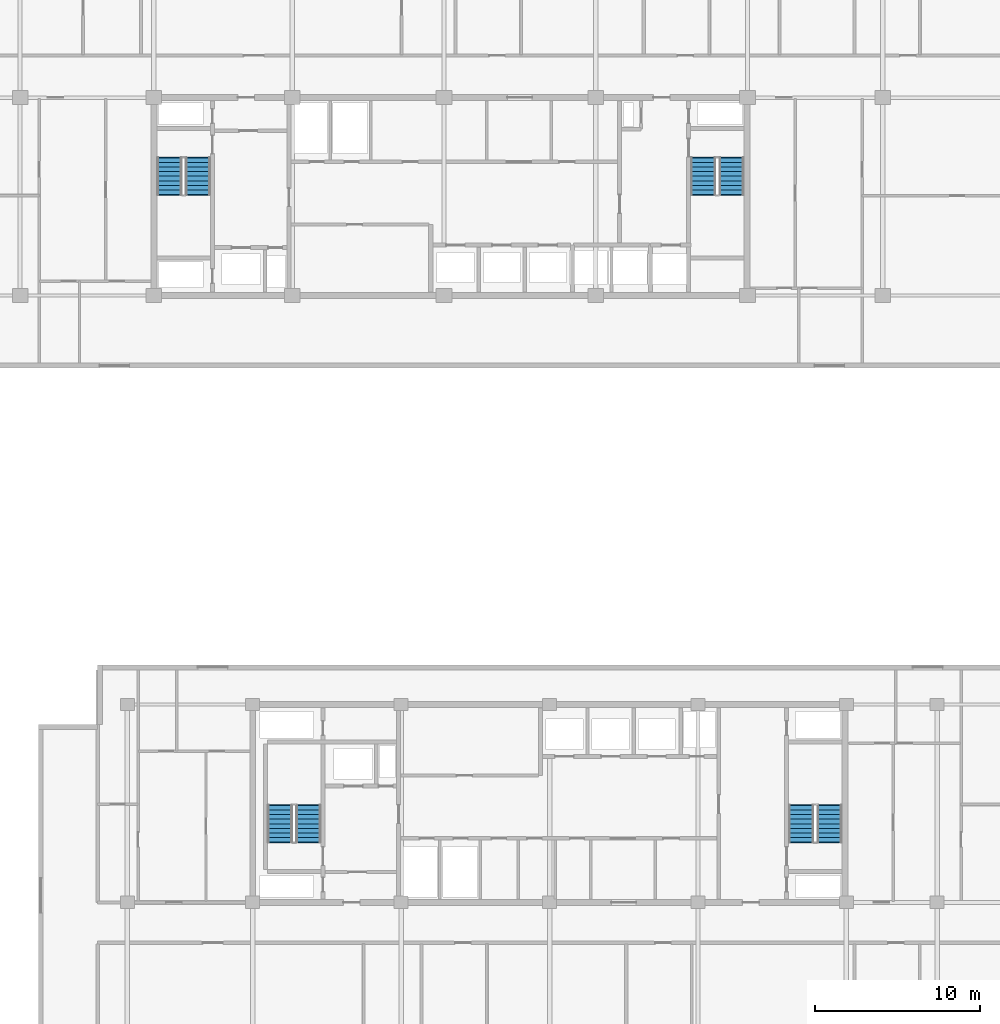
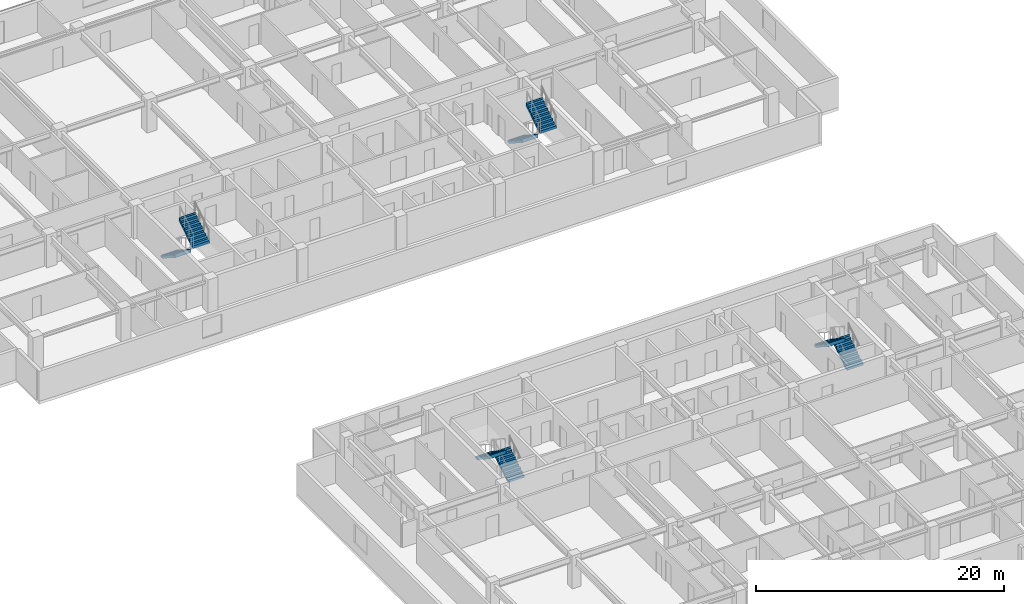
# One storey, part 16 of 21: 8 stair flights, 4 elements without a shape of their own.
"""IFC4 building model written with IfcOpenShell, lengths in metres."""

from ifc_helpers import new_model, si_unit, direction, frame, origin, place, context, subcontext, project, spatial, polyline, outline, extrude, material, type_object, element, aggregate, save


model = new_model("IFC4")

# Units and contexts
model_context = context("Model", 3, precision=1e-05, world=origin(), true_north=direction((0.0, 1.0)))
body_context = subcontext(model_context, "Body", "Model", "MODEL_VIEW")
ifc_project = project(units=[si_unit("LENGTHUNIT", "METRE"), si_unit("AREAUNIT", "SQUARE_METRE"), si_unit("VOLUMEUNIT", "CUBIC_METRE"), si_unit("PLANEANGLEUNIT", "RADIAN"), si_unit("MASSUNIT", "GRAM", prefix="KILO")], contexts=[model_context])

# Site, building, storey
site_placement = place(None, origin())
site = spatial("IfcSite", under=ifc_project, at=site_placement, CompositionType="ELEMENT")
building_placement = place(site_placement, origin())
building = spatial("IfcBuilding", under=site, at=building_placement, Name="Korimba Cascade Residences", CompositionType="ELEMENT")
storey_placement = place(building_placement, frame((0.0, 0.0, 106.800048828125)))
storey = spatial("IfcBuildingStorey", under=building, at=storey_placement, Name="L30", CompositionType="ELEMENT", Elevation=106.800048828125)

# Stair, stair flights
ifc_material = material(Name="Concrete C50/60", Category="concrete")
stair_type_1 = type_object("IfcStairType", Name="STR-W1-18R-1806", PredefinedType="HALF_TURN_STAIR", material=ifc_material)
stair_1_placement = place(storey_placement, origin())
stair_1 = element("IfcStair", 1, at=stair_1_placement, inside=storey, type_object=stair_type_1, Name="L30 Tower 1 West Fire Stair ST-W1", PredefinedType="HALF_TURN_STAIR")
stair_flight_type = type_object("IfcStairFlightType", Name="STF-DL-18R-1806-1520", PredefinedType="STRAIGHT", material=ifc_material)
stair_flight_1_placement = place(storey_placement, frame((77.06005859375, 63.550048828125, 0.0), z_axis=(0.0, 0.0, 1.0), x_axis=(0.0, -1.0, 0.0)))
stair_flight_1 = element("IfcStairFlight", 2, at=stair_flight_1_placement, type_object=stair_flight_type, Name="ST-W1 flight 1", NumberOfRisers=9, NumberOfTreads=8, PredefinedType="STRAIGHT", RiserHeight=0.180555556, TreadLength=0.28, context=body_context, shape_type="SweptSolid", body=[
    extrude(outline(polyline([(-0.0380859375, 0.0), (0.0, 0.1806640625), (0.280029296875, 0.1806640625), (0.280029296875, 0.361083984375), (0.56005859375, 0.361083984375), (0.56005859375, 0.541748046875), (0.840087890625, 0.541748046875), (0.840087890625, 0.72216796875), (1.1201171875, 0.72216796875), (1.1201171875, 0.90283203125), (1.39990234375, 0.90283203125), (1.39990234375, 1.083251953125), (1.679931640625, 1.083251953125), (1.679931640625, 1.263916015625), (1.9599609375, 1.263916015625), (1.9599609375, 1.4443359375), (2.239990234375, 1.4443359375), (2.239990234375, 1.625), (2.278076171875, 1.625), (2.278076171875, 1.26611328125), (0.276611328125, 0.0), (0.276611328125, -0.0380859375), (-0.0380859375, -0.0380859375), (-0.0380859375, 0.0)])), frame((0.0, 0.760009765625, 0.0), z_axis=(0.0, -1.0, 0.0), x_axis=(1.0, 0.0, 0.0)), (0.0, 0.0, 1.0), 1.52001953125),
])
stair_flight_2_placement = place(storey_placement, frame((78.780029296875, 61.31005859375, 1.625), z_axis=(0.0, 0.0, 1.0), x_axis=(0.0, 1.0, 0.0)))
stair_flight_2 = element("IfcStairFlight", 3, at=stair_flight_2_placement, type_object=stair_flight_type, Name="ST-W1 flight 2", NumberOfRisers=9, NumberOfTreads=8, PredefinedType="STRAIGHT", RiserHeight=0.180555556, TreadLength=0.28, context=body_context, shape_type="SweptSolid", body=[
    extrude(outline(polyline([(-0.0380859375, 0.0), (0.0, 0.1806640625), (0.280029296875, 0.1806640625), (0.280029296875, 0.361083984375), (0.56005859375, 0.361083984375), (0.56005859375, 0.541748046875), (0.840087890625, 0.541748046875), (0.840087890625, 0.72216796875), (1.1201171875, 0.72216796875), (1.1201171875, 0.90283203125), (1.39990234375, 0.90283203125), (1.39990234375, 1.083251953125), (1.679931640625, 1.083251953125), (1.679931640625, 1.263916015625), (1.9599609375, 1.263916015625), (1.9599609375, 1.4443359375), (2.239990234375, 1.4443359375), (2.239990234375, 1.625), (2.278076171875, 1.625), (2.278076171875, 1.26611328125), (0.276611328125, 0.0), (0.276611328125, -0.0380859375), (-0.0380859375, -0.0380859375), (-0.0380859375, 0.0)])), frame((0.0, 0.760009765625, 0.0), z_axis=(0.0, -1.0, 0.0), x_axis=(1.0, 0.0, 0.0)), (0.0, 0.0, 1.0), 1.52001953125),
])
aggregate(stair_1, [stair_flight_1, stair_flight_2])

stair_type_2 = type_object("IfcStairType", Name="STR-W2-18R-1806", PredefinedType="HALF_TURN_STAIR", material=ifc_material)
stair_2_placement = place(storey_placement, origin())
stair_2 = element("IfcStair", 4, at=stair_2_placement, inside=storey, type_object=stair_type_2, Name="L30 Tower 1 East Fire Stair ST-W2", PredefinedType="HALF_TURN_STAIR")
stair_flight_3_placement = place(storey_placement, frame((109.419921875, 63.550048828125, 0.0), z_axis=(0.0, 0.0, 1.0), x_axis=(0.0, -1.0, 0.0)))
stair_flight_3 = element("IfcStairFlight", 5, at=stair_flight_3_placement, type_object=stair_flight_type, Name="ST-W2 flight 1", NumberOfRisers=9, NumberOfTreads=8, PredefinedType="STRAIGHT", RiserHeight=0.180555556, TreadLength=0.28, context=body_context, shape_type="SweptSolid", body=[
    extrude(outline(polyline([(-0.0380859375, 0.0), (0.0, 0.1806640625), (0.280029296875, 0.1806640625), (0.280029296875, 0.361083984375), (0.56005859375, 0.361083984375), (0.56005859375, 0.541748046875), (0.840087890625, 0.541748046875), (0.840087890625, 0.72216796875), (1.1201171875, 0.72216796875), (1.1201171875, 0.90283203125), (1.39990234375, 0.90283203125), (1.39990234375, 1.083251953125), (1.679931640625, 1.083251953125), (1.679931640625, 1.263916015625), (1.9599609375, 1.263916015625), (1.9599609375, 1.4443359375), (2.239990234375, 1.4443359375), (2.239990234375, 1.625), (2.278076171875, 1.625), (2.278076171875, 1.26611328125), (0.276611328125, 0.0), (0.276611328125, -0.0380859375), (-0.0380859375, -0.0380859375), (-0.0380859375, 0.0)])), frame((0.0, 0.760009765625, 0.0), z_axis=(0.0, -1.0, 0.0), x_axis=(1.0, 0.0, 0.0)), (0.0, 0.0, 1.0), 1.52001953125),
])
stair_flight_4_placement = place(storey_placement, frame((111.139892578125, 61.31005859375, 1.625), z_axis=(0.0, 0.0, 1.0), x_axis=(0.0, 1.0, 0.0)))
stair_flight_4 = element("IfcStairFlight", 6, at=stair_flight_4_placement, type_object=stair_flight_type, Name="ST-W2 flight 2", NumberOfRisers=9, NumberOfTreads=8, PredefinedType="STRAIGHT", RiserHeight=0.180555556, TreadLength=0.28, context=body_context, shape_type="SweptSolid", body=[
    extrude(outline(polyline([(-0.0380859375, 0.0), (0.0, 0.1806640625), (0.280029296875, 0.1806640625), (0.280029296875, 0.361083984375), (0.56005859375, 0.361083984375), (0.56005859375, 0.541748046875), (0.840087890625, 0.541748046875), (0.840087890625, 0.72216796875), (1.1201171875, 0.72216796875), (1.1201171875, 0.90283203125), (1.39990234375, 0.90283203125), (1.39990234375, 1.083251953125), (1.679931640625, 1.083251953125), (1.679931640625, 1.263916015625), (1.9599609375, 1.263916015625), (1.9599609375, 1.4443359375), (2.239990234375, 1.4443359375), (2.239990234375, 1.625), (2.278076171875, 1.625), (2.278076171875, 1.26611328125), (0.276611328125, 0.0), (0.276611328125, -0.0380859375), (-0.0380859375, -0.0380859375), (-0.0380859375, 0.0)])), frame((0.0, 0.760009765625, 0.0), z_axis=(0.0, -1.0, 0.0), x_axis=(1.0, 0.0, 0.0)), (0.0, 0.0, 1.0), 1.52001953125),
])
aggregate(stair_2, [stair_flight_3, stair_flight_4])

stair_type_3 = type_object("IfcStairType", Name="STR-E1-18R-1806", PredefinedType="HALF_TURN_STAIR", material=ifc_material)
stair_3_placement = place(storey_placement, origin())
stair_3 = element("IfcStair", 7, at=stair_3_placement, inside=storey, type_object=stair_type_3, Name="L30 Tower 2 West Fire Stair ST-E1", PredefinedType="HALF_TURN_STAIR")
stair_flight_5_placement = place(storey_placement, frame((85.47998046875, 22.050048828125, 0.0), z_axis=(0.0, 0.0, 1.0), x_axis=(0.0, 1.0, 0.0)))
stair_flight_5 = element("IfcStairFlight", 8, at=stair_flight_5_placement, type_object=stair_flight_type, Name="ST-E1 flight 1", NumberOfRisers=9, NumberOfTreads=8, PredefinedType="STRAIGHT", RiserHeight=0.180555556, TreadLength=0.28, context=body_context, shape_type="SweptSolid", body=[
    extrude(outline(polyline([(-0.0380859375, 0.0), (0.0, 0.1806640625), (0.280029296875, 0.1806640625), (0.280029296875, 0.361083984375), (0.56005859375, 0.361083984375), (0.56005859375, 0.541748046875), (0.840087890625, 0.541748046875), (0.840087890625, 0.72216796875), (1.1201171875, 0.72216796875), (1.1201171875, 0.90283203125), (1.39990234375, 0.90283203125), (1.39990234375, 1.083251953125), (1.679931640625, 1.083251953125), (1.679931640625, 1.263916015625), (1.9599609375, 1.263916015625), (1.9599609375, 1.4443359375), (2.239990234375, 1.4443359375), (2.239990234375, 1.625), (2.278076171875, 1.625), (2.278076171875, 1.26611328125), (0.276611328125, 0.0), (0.276611328125, -0.0380859375), (-0.0380859375, -0.0380859375), (-0.0380859375, 0.0)])), frame((0.0, 0.760009765625, 0.0), z_axis=(0.0, -1.0, 0.0), x_axis=(1.0, 0.0, 0.0)), (0.0, 0.0, 1.0), 1.52001953125),
])
stair_flight_6_placement = place(storey_placement, frame((83.760009765625, 24.2900390625, 1.625), z_axis=(0.0, 0.0, 1.0), x_axis=(0.0, -1.0, 0.0)))
stair_flight_6 = element("IfcStairFlight", 9, at=stair_flight_6_placement, type_object=stair_flight_type, Name="ST-E1 flight 2", NumberOfRisers=9, NumberOfTreads=8, PredefinedType="STRAIGHT", RiserHeight=0.180555556, TreadLength=0.28, context=body_context, shape_type="SweptSolid", body=[
    extrude(outline(polyline([(-0.0380859375, 0.0), (0.0, 0.1806640625), (0.280029296875, 0.1806640625), (0.280029296875, 0.361083984375), (0.56005859375, 0.361083984375), (0.56005859375, 0.541748046875), (0.840087890625, 0.541748046875), (0.840087890625, 0.72216796875), (1.1201171875, 0.72216796875), (1.1201171875, 0.90283203125), (1.39990234375, 0.90283203125), (1.39990234375, 1.083251953125), (1.679931640625, 1.083251953125), (1.679931640625, 1.263916015625), (1.9599609375, 1.263916015625), (1.9599609375, 1.4443359375), (2.239990234375, 1.4443359375), (2.239990234375, 1.625), (2.278076171875, 1.625), (2.278076171875, 1.26611328125), (0.276611328125, 0.0), (0.276611328125, -0.0380859375), (-0.0380859375, -0.0380859375), (-0.0380859375, 0.0)])), frame((0.0, 0.760009765625, 0.0), z_axis=(0.0, -1.0, 0.0), x_axis=(1.0, 0.0, 0.0)), (0.0, 0.0, 1.0), 1.52001953125),
])
aggregate(stair_3, [stair_flight_5, stair_flight_6])

stair_type_4 = type_object("IfcStairType", Name="STR-E2-18R-1806", PredefinedType="HALF_TURN_STAIR", material=ifc_material)
stair_4_placement = place(storey_placement, origin())
stair_4 = element("IfcStair", 10, at=stair_4_placement, inside=storey, type_object=stair_type_4, Name="L30 Tower 2 East Fire Stair ST-E2", PredefinedType="HALF_TURN_STAIR")
stair_flight_7_placement = place(storey_placement, frame((117.080078125, 22.050048828125, 0.0), z_axis=(0.0, 0.0, 1.0), x_axis=(0.0, 1.0, 0.0)))
stair_flight_7 = element("IfcStairFlight", 11, at=stair_flight_7_placement, type_object=stair_flight_type, Name="ST-E2 flight 1", NumberOfRisers=9, NumberOfTreads=8, PredefinedType="STRAIGHT", RiserHeight=0.180555556, TreadLength=0.28, context=body_context, shape_type="SweptSolid", body=[
    extrude(outline(polyline([(-0.0380859375, 0.0), (0.0, 0.1806640625), (0.280029296875, 0.1806640625), (0.280029296875, 0.361083984375), (0.56005859375, 0.361083984375), (0.56005859375, 0.541748046875), (0.840087890625, 0.541748046875), (0.840087890625, 0.72216796875), (1.1201171875, 0.72216796875), (1.1201171875, 0.90283203125), (1.39990234375, 0.90283203125), (1.39990234375, 1.083251953125), (1.679931640625, 1.083251953125), (1.679931640625, 1.263916015625), (1.9599609375, 1.263916015625), (1.9599609375, 1.4443359375), (2.239990234375, 1.4443359375), (2.239990234375, 1.625), (2.278076171875, 1.625), (2.278076171875, 1.26611328125), (0.276611328125, 0.0), (0.276611328125, -0.0380859375), (-0.0380859375, -0.0380859375), (-0.0380859375, 0.0)])), frame((0.0, 0.760009765625, 0.0), z_axis=(0.0, -1.0, 0.0), x_axis=(1.0, 0.0, 0.0)), (0.0, 0.0, 1.0), 1.52001953125),
])
stair_flight_8_placement = place(storey_placement, frame((115.360107421875, 24.2900390625, 1.625), z_axis=(0.0, 0.0, 1.0), x_axis=(0.0, -1.0, 0.0)))
stair_flight_8 = element("IfcStairFlight", 12, at=stair_flight_8_placement, type_object=stair_flight_type, Name="ST-E2 flight 2", NumberOfRisers=9, NumberOfTreads=8, PredefinedType="STRAIGHT", RiserHeight=0.180555556, TreadLength=0.28, context=body_context, shape_type="SweptSolid", body=[
    extrude(outline(polyline([(-0.0380859375, 0.0), (0.0, 0.1806640625), (0.280029296875, 0.1806640625), (0.280029296875, 0.361083984375), (0.56005859375, 0.361083984375), (0.56005859375, 0.541748046875), (0.840087890625, 0.541748046875), (0.840087890625, 0.72216796875), (1.1201171875, 0.72216796875), (1.1201171875, 0.90283203125), (1.39990234375, 0.90283203125), (1.39990234375, 1.083251953125), (1.679931640625, 1.083251953125), (1.679931640625, 1.263916015625), (1.9599609375, 1.263916015625), (1.9599609375, 1.4443359375), (2.239990234375, 1.4443359375), (2.239990234375, 1.625), (2.278076171875, 1.625), (2.278076171875, 1.26611328125), (0.276611328125, 0.0), (0.276611328125, -0.0380859375), (-0.0380859375, -0.0380859375), (-0.0380859375, 0.0)])), frame((0.0, 0.760009765625, 0.0), z_axis=(0.0, -1.0, 0.0), x_axis=(1.0, 0.0, 0.0)), (0.0, 0.0, 1.0), 1.52001953125),
])
aggregate(stair_4, [stair_flight_7, stair_flight_8])

save(model, "model.ifc")
